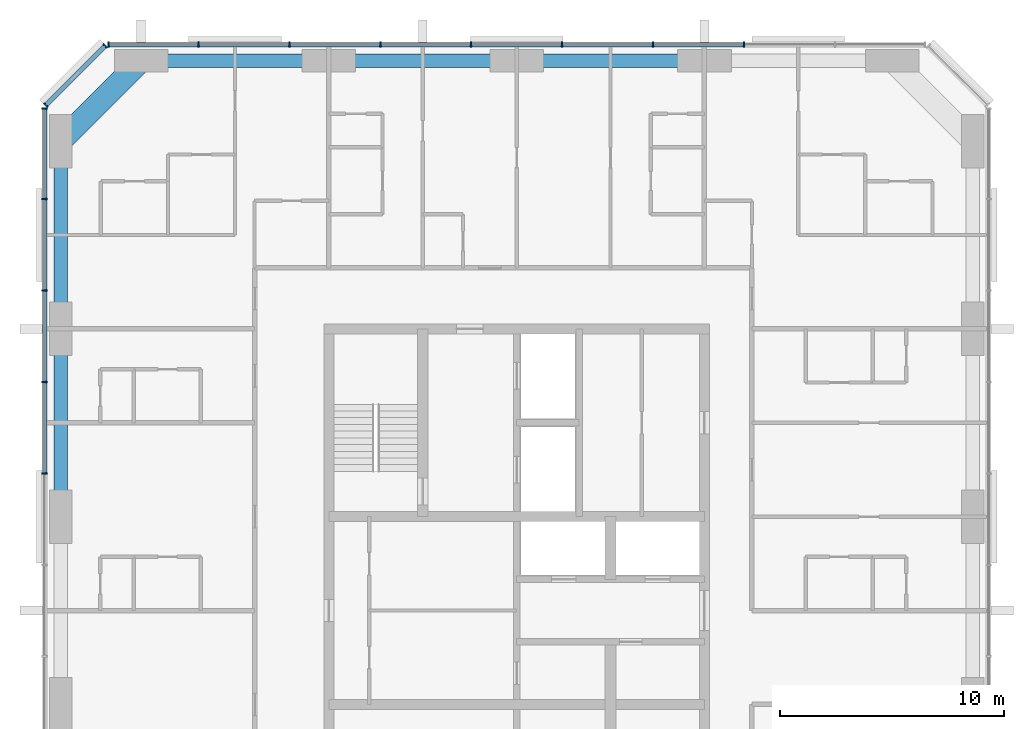
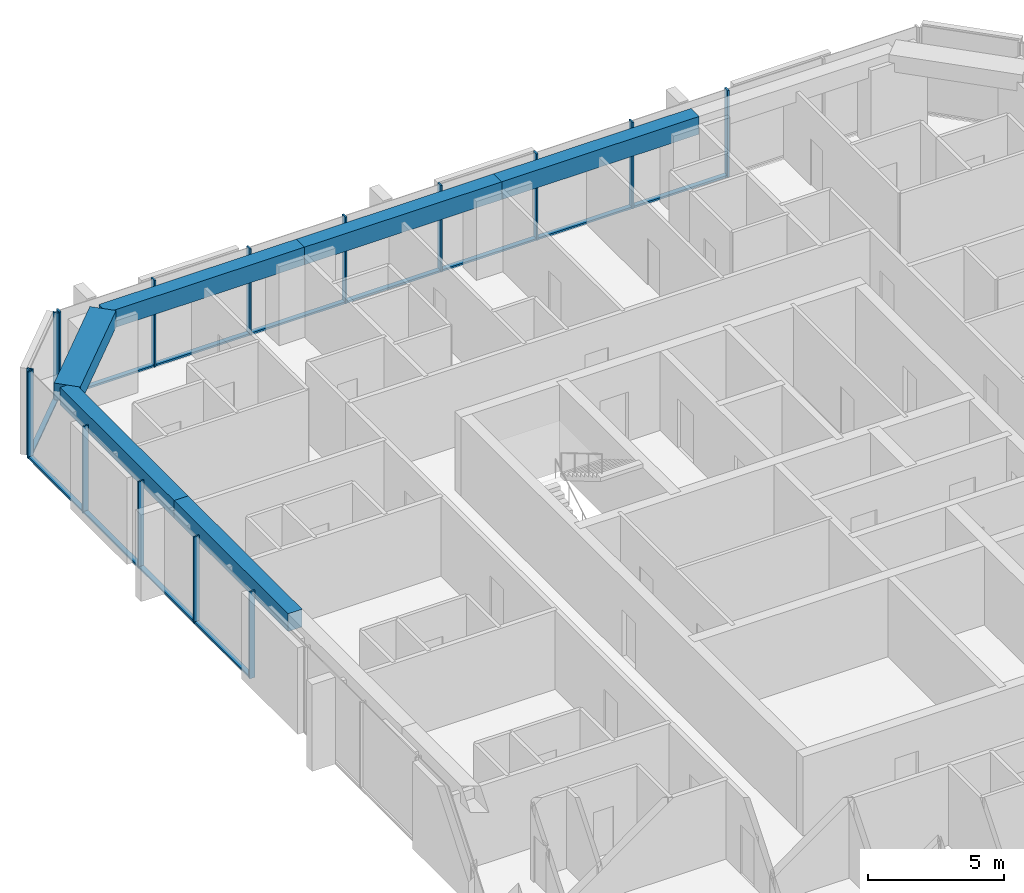
# One storey, part 4 of 13: 27 members, 6 beams, 3 elements without a shape of their own.
"""IFC4 building model written with IfcOpenShell, lengths in metres."""

import ifcopenshell
import ifcopenshell.guid

model = None  # the IFC model being written
_history = None  # IfcOwnerHistory: only IFC2X3 demands one
_inside = {}  # id of a spatial element -> (the spatial element, [elements in it])
_under = {}  # id of a project, library or spatial element -> (it, [spatial elements below it])
_declared = {}  # id of a project -> (the project, [libraries it declares])
_typed = {}  # id of a type object -> (the type object, [elements of that type])
_made_of = {}  # id of a material, layer set ... -> (it, [elements and type objects made of it])


def new_model(schema):
    """Start an empty IFC model of exactly this schema.

    Asked for "IFC4X3", IfcOpenShell would pick the latest addendum, in which some entities
    have other attributes; the version numbers below select the first issue.
    IFC2X3 requires an IfcOwnerHistory on every rooted entity: one is made here for all.
    """
    global model, _history
    if schema == "IFC4X3":
        model = ifcopenshell.file(schema_version=(4, 3, 0, 0))
    else:
        model = ifcopenshell.file(schema=schema)
    _inside.clear()
    _under.clear()
    _declared.clear()
    _typed.clear()
    _made_of.clear()
    _history = None
    if model.schema == "IFC2X3":
        org = make("IfcOrganization", Name="unknown")
        user = make(
            "IfcPersonAndOrganization",
            ThePerson=make("IfcPerson", FamilyName="unknown"),
            TheOrganization=org,
        )
        app = make(
            "IfcApplication",
            ApplicationDeveloper=org,
            Version="unknown",
            ApplicationFullName="unknown",
            ApplicationIdentifier="unknown",
        )
        _history = make(
            "IfcOwnerHistory",
            OwningUser=user,
            OwningApplication=app,
            ChangeAction="ADDED",
            CreationDate=0,
        )
    return model


def make(cls, **values):
    """One entity of the class cls with the attributes given. An attribute that is None is left unset."""
    return model.create_entity(
        cls, **{name: value for name, value in values.items() if value is not None}
    )


def rooted(cls, **values):
    """An entity with a GlobalId (a new one), such as an element, a storey or a relation."""
    return make(cls, GlobalId=ifcopenshell.guid.new(), OwnerHistory=_history, **values)


def si_unit(unit_type, name, prefix=None):
    """IfcSIUnit, for example si_unit("LENGTHUNIT", "METRE", prefix="MILLI")."""
    return make("IfcSIUnit", UnitType=unit_type, Prefix=prefix, Name=name)


def assignment(units):
    """IfcUnitAssignment: the units of a project."""
    return None if units is None else make("IfcUnitAssignment", Units=units)


def point(xyz):
    """IfcCartesianPoint."""
    return None if xyz is None else make("IfcCartesianPoint", Coordinates=xyz)


def direction(xyz):
    """IfcDirection."""
    return None if xyz is None else make("IfcDirection", DirectionRatios=xyz)


def frame(location, z_axis=None, x_axis=None):
    """IfcAxis2Placement3D, a coordinate frame: its origin and axes. An axis left out is left unset."""
    return make(
        "IfcAxis2Placement3D",
        Location=point(location),
        Axis=direction(z_axis),
        RefDirection=direction(x_axis),
    )


def frame_2d(location, x_axis=None):
    """IfcAxis2Placement2D, a coordinate frame in the plane: its origin and x axis."""
    return make(
        "IfcAxis2Placement2D", Location=point(location), RefDirection=direction(x_axis)
    )


def origin():
    """The frame at (0, 0, 0) with its axes left unset."""
    return frame((0.0, 0.0, 0.0))


def origin_2d():
    """The frame at (0, 0) in the plane with its x axis left unset."""
    return frame_2d((0.0, 0.0))


def place(relative_to, where):
    """IfcLocalPlacement: puts the frame where relative to a parent placement (None: the world)."""
    return make(
        "IfcLocalPlacement", PlacementRelTo=relative_to, RelativePlacement=where
    )


def context(
    kind, dimensions, precision=None, world=None, true_north=None, identifier=None
):
    """IfcGeometricRepresentationContext, for example the 3D "Model" context."""
    return make(
        "IfcGeometricRepresentationContext",
        ContextIdentifier=identifier,
        ContextType=kind,
        CoordinateSpaceDimension=dimensions,
        Precision=precision,
        WorldCoordinateSystem=world,
        TrueNorth=true_north,
    )


def subcontext(parent, identifier, kind, view, scale=None):
    """IfcGeometricRepresentationSubContext, for example "Body" below "Model"."""
    return make(
        "IfcGeometricRepresentationSubContext",
        ContextIdentifier=identifier,
        ContextType=kind,
        ParentContext=parent,
        TargetScale=scale,
        TargetView=view,
    )


def project(units=None, contexts=None):
    """IfcProject with its units and contexts."""
    return rooted(
        "IfcProject",
        Name="project",
        RepresentationContexts=contexts,
        UnitsInContext=assignment(units),
    )


def spatial(cls, under=None, at=None, **own):
    """A site, building, storey or space (cls), placed at a placement, below another one or the project."""
    s = rooted(cls, ObjectPlacement=at, **own)
    if under is not None:
        _under.setdefault(under.id(), (under, []))[1].append(s)
    return s


def profile(cls, at=None, kind="AREA", **sizes):
    """A parametric profile (cls). Its sizes go by their IFC names, for example OverallWidth=200.0."""
    return make(cls, ProfileType=kind, Position=at, **sizes)


def rectangle(**sizes):
    """IfcRectangleProfileDef."""
    return profile("IfcRectangleProfileDef", **sizes)


def extrude(swept, where, along, depth):
    """IfcExtrudedAreaSolid: the profile swept, set in the frame where, extruded along a direction by depth."""
    return make(
        "IfcExtrudedAreaSolid",
        SweptArea=swept,
        Position=where,
        ExtrudedDirection=direction(along),
        Depth=depth,
    )


def shape(context_of_items, identifier, shape_type, items):
    """IfcShapeRepresentation: the items that make up one representation, for example the "Body"."""
    return make(
        "IfcShapeRepresentation",
        ContextOfItems=context_of_items,
        RepresentationIdentifier=identifier,
        RepresentationType=shape_type,
        Items=items,
    )


def material(Name=None, Category=None):
    """IfcMaterial."""
    return make("IfcMaterial", Name=Name, Category=Category)


def material_profile(
    of_material, cross_section, Name=None, Category=None, Priority=None
):
    """IfcMaterialProfile: a cross section and its material."""
    return make(
        "IfcMaterialProfile",
        Name=Name,
        Material=of_material,
        Profile=cross_section,
        Priority=Priority,
        Category=Category,
    )


def profile_set(profiles, Name=None, composite=None):
    """IfcMaterialProfileSet."""
    return make(
        "IfcMaterialProfileSet",
        Name=Name,
        MaterialProfiles=profiles,
        CompositeProfile=composite,
    )


def made_of(thing, what):
    """Note that an element or type object is made of a material, layer set ...; save() writes the relation."""
    if what is not None:
        _made_of.setdefault(what.id(), (what, []))[1].append(thing)
    return thing


def type_object(cls, material=None, **own):
    """A type object (cls), such as IfcWallType, which elements share."""
    return made_of(rooted(cls, **own), material)


def element(
    cls,
    number,
    at=None,
    inside=None,
    cuts=None,
    type_object=None,
    material=None,
    context=None,
    identifier="Body",
    shape_type=None,
    held_by="IfcProductDefinitionShape",
    body=None,
    shapes=None,
    **own,
):
    """One element of the class cls, such as IfcWall. Its Tag is "e" and its number.

    at: its placement. inside: the storey or other place that contains it. cuts: it is an
    opening in that element (IfcRelVoidsElement). A single representation is given by context,
    identifier, shape_type and body (its items); several are given by shapes. held_by: the class
    of the entity that holds the representations. save() writes the other relations.
    """
    e = rooted(cls, Tag="e%d" % number, ObjectPlacement=at, **own)
    if body is not None:
        shapes = [shape(context, identifier, shape_type, body)]
    if shapes is not None:
        e.Representation = make(held_by, Representations=shapes)
    if inside is not None:
        _inside.setdefault(inside.id(), (inside, []))[1].append(e)
    if cuts is not None:
        rooted(
            "IfcRelVoidsElement", RelatingBuildingElement=cuts, RelatedOpeningElement=e
        )
    if type_object is not None:
        _typed.setdefault(type_object.id(), (type_object, []))[1].append(e)
    return made_of(e, material)


def aggregate(whole, parts):
    """IfcRelAggregates: a whole, such as a stair, and the parts it consists of."""
    return rooted("IfcRelAggregates", RelatingObject=whole, RelatedObjects=parts)


def save(model, path):
    """Write the relations noted so far, then the file.

    IfcRelAggregates (storeys below a building ...), IfcRelContainedInSpatialStructure (elements
    in a storey), IfcRelDefinesByType, IfcRelAssociatesMaterial and IfcRelDeclares: one each for
    every whole, place, type object, material and project.
    """
    for whole, parts in _under.values():
        aggregate(whole, parts)
    for where, things in _inside.values():
        rooted(
            "IfcRelContainedInSpatialStructure",
            RelatedElements=things,
            RelatingStructure=where,
        )
    for kind, things in _typed.values():
        rooted("IfcRelDefinesByType", RelatedObjects=things, RelatingType=kind)
    for what, things in _made_of.values():
        rooted("IfcRelAssociatesMaterial", RelatedObjects=things, RelatingMaterial=what)
    for by, libraries in _declared.values():
        rooted("IfcRelDeclares", RelatingContext=by, RelatedDefinitions=libraries)
    model.write(path)


model = new_model("IFC4")

# Units and contexts
model_context = context("Model", 3, precision=1e-05, world=origin(), true_north=direction((0.0, 1.0)))
body_context = subcontext(model_context, "Body", "Model", "MODEL_VIEW")
ifc_project = project(units=[si_unit("LENGTHUNIT", "METRE"), si_unit("AREAUNIT", "SQUARE_METRE"), si_unit("VOLUMEUNIT", "CUBIC_METRE"), si_unit("PLANEANGLEUNIT", "RADIAN"), si_unit("MASSUNIT", "GRAM", prefix="KILO")], contexts=[model_context])

# Site, building, storey
site_placement = place(None, origin())
site = spatial("IfcSite", under=ifc_project, at=site_placement, CompositionType="ELEMENT")
building_placement = place(site_placement, origin())
building = spatial("IfcBuilding", under=site, at=building_placement, Name="Dunama Terrace Hotel", CompositionType="ELEMENT")
storey_placement = place(building_placement, frame((0.0, 0.0, 280.199951171875)))
storey = spatial("IfcBuildingStorey", under=building, at=storey_placement, Name="L72", CompositionType="ELEMENT", Elevation=280.199951171875)

# Curtain wall, members
ifc_material_1 = material(Name="Aluminium curtain wall system", Category="aluminium")
curtain_wall_type = type_object("IfcCurtainWallType", Name="Unitised fritted glass wall CW-D", PredefinedType="NOTDEFINED", material=ifc_material_1)
curtain_wall_1_placement = place(storey_placement, origin())
curtain_wall_1 = element("IfcCurtainWall", 1, at=curtain_wall_1_placement, inside=storey, type_object=curtain_wall_type, Name="Unitised fritted glass wall CW-D L72", PredefinedType="NOTDEFINED")
ifc_material_2 = material(Name="Aluminium mullion", Category="aluminium")
ifc_material_profile_1 = material_profile(ifc_material_2, rectangle(XDim=0.070068359375, YDim=0.239990234375, at=origin_2d()), Name="CWD MULLION 70X240")
ifc_profile_set_1 = profile_set([ifc_material_profile_1], Name="Aluminium mullion")
member_type_1 = type_object("IfcMemberType", Name="CWD mullion 70x240", PredefinedType="MULLION", material=ifc_profile_set_1)
member_1_placement = place(storey_placement, frame((43.76708984375, 54.719970703125, 0.0), z_axis=(0.0, 0.0, 1.0), x_axis=(-1.0, 0.0, 0.0)))
member_1 = element("IfcMember", 2, at=member_1_placement, type_object=member_type_1, Name="CWD mullion", PredefinedType="MULLION", context=body_context, shape_type="SweptSolid", body=[
    extrude(rectangle(XDim=0.070068359375, YDim=0.239990234375, at=origin_2d()), origin(), (0.0, 0.0, 1.0), 3.900146484375),
])
member_2_placement = place(storey_placement, frame((39.699951171875, 54.719970703125, 0.0), z_axis=(0.0, 0.0, 1.0), x_axis=(-1.0, 0.0, 0.0)))
member_2 = element("IfcMember", 3, at=member_2_placement, type_object=member_type_1, Name="CWD mullion", PredefinedType="MULLION", context=body_context, shape_type="SweptSolid", body=[
    extrude(rectangle(XDim=0.070068359375, YDim=0.239990234375, at=origin_2d()), origin(), (0.0, 0.0, 1.0), 3.900146484375),
])
member_3_placement = place(storey_placement, frame((35.633056640625, 54.719970703125, 0.0), z_axis=(0.0, 0.0, 1.0), x_axis=(-1.0, 0.0, 0.0)))
member_3 = element("IfcMember", 4, at=member_3_placement, type_object=member_type_1, Name="CWD mullion", PredefinedType="MULLION", context=body_context, shape_type="SweptSolid", body=[
    extrude(rectangle(XDim=0.070068359375, YDim=0.239990234375, at=origin_2d()), origin(), (0.0, 0.0, 1.0), 3.900146484375),
])
member_4_placement = place(storey_placement, frame((31.56689453125, 54.719970703125, 0.0), z_axis=(0.0, 0.0, 1.0), x_axis=(-1.0, 0.0, 0.0)))
member_4 = element("IfcMember", 5, at=member_4_placement, type_object=member_type_1, Name="CWD mullion", PredefinedType="MULLION", context=body_context, shape_type="SweptSolid", body=[
    extrude(rectangle(XDim=0.070068359375, YDim=0.239990234375, at=origin_2d()), origin(), (0.0, 0.0, 1.0), 3.900146484375),
])
member_5_placement = place(storey_placement, frame((27.5, 54.719970703125, 0.0), z_axis=(0.0, 0.0, 1.0), x_axis=(-1.0, 0.0, 0.0)))
member_5 = element("IfcMember", 6, at=member_5_placement, type_object=member_type_1, Name="CWD mullion", PredefinedType="MULLION", context=body_context, shape_type="SweptSolid", body=[
    extrude(rectangle(XDim=0.070068359375, YDim=0.239990234375, at=origin_2d()), origin(), (0.0, 0.0, 1.0), 3.900146484375),
])
member_6_placement = place(storey_placement, frame((23.43310546875, 54.719970703125, 0.0), z_axis=(0.0, 0.0, 1.0), x_axis=(-1.0, 0.0, 0.0)))
member_6 = element("IfcMember", 7, at=member_6_placement, type_object=member_type_1, Name="CWD mullion", PredefinedType="MULLION", context=body_context, shape_type="SweptSolid", body=[
    extrude(rectangle(XDim=0.070068359375, YDim=0.239990234375, at=origin_2d()), origin(), (0.0, 0.0, 1.0), 3.900146484375),
])
member_7_placement = place(storey_placement, frame((19.366943359375, 54.719970703125, 0.0), z_axis=(0.0, 0.0, 1.0), x_axis=(-1.0, 0.0, 0.0)))
member_7 = element("IfcMember", 8, at=member_7_placement, type_object=member_type_1, Name="CWD mullion", PredefinedType="MULLION", context=body_context, shape_type="SweptSolid", body=[
    extrude(rectangle(XDim=0.070068359375, YDim=0.239990234375, at=origin_2d()), origin(), (0.0, 0.0, 1.0), 3.900146484375),
])
member_8_placement = place(storey_placement, frame((15.3349609375, 54.719970703125, 0.0), z_axis=(0.0, 0.0, 1.0), x_axis=(-1.0, 0.0, 0.0)))
member_8 = element("IfcMember", 9, at=member_8_placement, type_object=member_type_1, Name="CWD mullion", PredefinedType="MULLION", context=body_context, shape_type="SweptSolid", body=[
    extrude(rectangle(XDim=0.070068359375, YDim=0.239990234375, at=origin_2d()), origin(), (0.0, 0.0, 1.0), 3.900146484375),
])

curtain_wall_2_placement = place(storey_placement, origin())
curtain_wall_2 = element("IfcCurtainWall", 10, at=curtain_wall_2_placement, inside=storey, type_object=curtain_wall_type, Name="Unitised fritted glass wall CW-D L72", PredefinedType="NOTDEFINED")
member_9_placement = place(storey_placement, frame((15.18994140625, 54.659912109375, 0.0), z_axis=(0.0, 0.0, 1.0), x_axis=(-0.707106781187, -0.707106781187, 0.0)))
member_9 = element("IfcMember", 11, at=member_9_placement, type_object=member_type_1, Name="CWD mullion", PredefinedType="MULLION", context=body_context, shape_type="SweptSolid", body=[
    extrude(rectangle(XDim=0.070068359375, YDim=0.239990234375, at=origin_2d()), origin(), (0.0, 0.0, 1.0), 3.900146484375),
])
member_10_placement = place(storey_placement, frame((12.5400390625, 52.010009765625, 0.0), z_axis=(0.0, 0.0, 1.0), x_axis=(-0.707106781187, -0.707106781187, 0.0)))
member_10 = element("IfcMember", 12, at=member_10_placement, type_object=member_type_1, Name="CWD mullion", PredefinedType="MULLION", context=body_context, shape_type="SweptSolid", body=[
    extrude(rectangle(XDim=0.070068359375, YDim=0.239990234375, at=origin_2d()), origin(), (0.0, 0.0, 1.0), 3.900146484375),
])

curtain_wall_3_placement = place(storey_placement, origin())
curtain_wall_3 = element("IfcCurtainWall", 13, at=curtain_wall_3_placement, inside=storey, type_object=curtain_wall_type, Name="Unitised fritted glass wall CW-D L72", PredefinedType="NOTDEFINED")
member_11_placement = place(storey_placement, frame((12.47998046875, 51.864990234375, 0.0), z_axis=(0.0, 0.0, 1.0), x_axis=(0.0, -1.0, 0.0)))
member_11 = element("IfcMember", 14, at=member_11_placement, type_object=member_type_1, Name="CWD mullion", PredefinedType="MULLION", context=body_context, shape_type="SweptSolid", body=[
    extrude(rectangle(XDim=0.070068359375, YDim=0.239990234375, at=origin_2d()), origin(), (0.0, 0.0, 1.0), 3.900146484375),
])
member_12_placement = place(storey_placement, frame((12.47998046875, 47.80908203125, 0.0), z_axis=(0.0, 0.0, 1.0), x_axis=(0.0, -1.0, 0.0)))
member_12 = element("IfcMember", 15, at=member_12_placement, type_object=member_type_1, Name="CWD mullion", PredefinedType="MULLION", context=body_context, shape_type="SweptSolid", body=[
    extrude(rectangle(XDim=0.070068359375, YDim=0.239990234375, at=origin_2d()), origin(), (0.0, 0.0, 1.0), 3.900146484375),
])
member_13_placement = place(storey_placement, frame((12.47998046875, 43.718017578125, 0.0), z_axis=(0.0, 0.0, 1.0), x_axis=(0.0, -1.0, 0.0)))
member_13 = element("IfcMember", 16, at=member_13_placement, type_object=member_type_1, Name="CWD mullion", PredefinedType="MULLION", context=body_context, shape_type="SweptSolid", body=[
    extrude(rectangle(XDim=0.070068359375, YDim=0.239990234375, at=origin_2d()), origin(), (0.0, 0.0, 1.0), 3.900146484375),
])
member_14_placement = place(storey_placement, frame((12.47998046875, 39.626953125, 0.0), z_axis=(0.0, 0.0, 1.0), x_axis=(0.0, -1.0, 0.0)))
member_14 = element("IfcMember", 17, at=member_14_placement, type_object=member_type_1, Name="CWD mullion", PredefinedType="MULLION", context=body_context, shape_type="SweptSolid", body=[
    extrude(rectangle(XDim=0.070068359375, YDim=0.239990234375, at=origin_2d()), origin(), (0.0, 0.0, 1.0), 3.900146484375),
])
member_15_placement = place(storey_placement, frame((12.47998046875, 35.535888671875, 0.0), z_axis=(0.0, 0.0, 1.0), x_axis=(0.0, -1.0, 0.0)))
member_15 = element("IfcMember", 18, at=member_15_placement, type_object=member_type_1, Name="CWD mullion", PredefinedType="MULLION", context=body_context, shape_type="SweptSolid", body=[
    extrude(rectangle(XDim=0.070068359375, YDim=0.239990234375, at=origin_2d()), origin(), (0.0, 0.0, 1.0), 3.900146484375),
])

# Member
ifc_material_3 = material(Name="Aluminium transom", Category="aluminium")
ifc_material_profile_2 = material_profile(ifc_material_3, rectangle(XDim=0.199951171875, YDim=0.0849609375, at=origin_2d()), Name="CWD TRANSOM 200X85")
ifc_profile_set_2 = profile_set([ifc_material_profile_2], Name="Aluminium transom")
member_type_2 = type_object("IfcMemberType", Name="CWD transom 200x85", PredefinedType="USERDEFINED", material=ifc_profile_set_2)
member_16_placement = place(storey_placement, frame((43.73193359375, 54.719970703125, 0.04248046875), z_axis=(-1.0, 0.0, 0.0), x_axis=(0.0, -1.0, 0.0)))
member_16 = element("IfcMember", 19, at=member_16_placement, type_object=member_type_2, Name="CWD transom", ObjectType="TRANSOM", PredefinedType="USERDEFINED", context=body_context, shape_type="SweptSolid", body=[
    extrude(rectangle(XDim=0.199951171875, YDim=0.0849609375, at=origin_2d()), origin(), (0.0, 0.0, 1.0), 3.996826171875),
])

member_17_placement = place(storey_placement, frame((39.6650390625, 54.719970703125, 0.04248046875), z_axis=(-1.0, 0.0, 0.0), x_axis=(0.0, -1.0, 0.0)))
member_17 = element("IfcMember", 20, at=member_17_placement, type_object=member_type_2, Name="CWD transom", ObjectType="TRANSOM", PredefinedType="USERDEFINED", context=body_context, shape_type="SweptSolid", body=[
    extrude(rectangle(XDim=0.199951171875, YDim=0.0849609375, at=origin_2d()), origin(), (0.0, 0.0, 1.0), 3.9970703125),
])

member_18_placement = place(storey_placement, frame((35.597900390625, 54.719970703125, 0.04248046875), z_axis=(-1.0, 0.0, 0.0), x_axis=(0.0, -1.0, 0.0)))
member_18 = element("IfcMember", 21, at=member_18_placement, type_object=member_type_2, Name="CWD transom", ObjectType="TRANSOM", PredefinedType="USERDEFINED", context=body_context, shape_type="SweptSolid", body=[
    extrude(rectangle(XDim=0.199951171875, YDim=0.0849609375, at=origin_2d()), origin(), (0.0, 0.0, 1.0), 3.995849609375),
])

member_19_placement = place(storey_placement, frame((31.531982421875, 54.719970703125, 0.04248046875), z_axis=(-1.0, 0.0, 0.0), x_axis=(0.0, -1.0, 0.0)))
member_19 = element("IfcMember", 22, at=member_19_placement, type_object=member_type_2, Name="CWD transom", ObjectType="TRANSOM", PredefinedType="USERDEFINED", context=body_context, shape_type="SweptSolid", body=[
    extrude(rectangle(XDim=0.199951171875, YDim=0.0849609375, at=origin_2d()), origin(), (0.0, 0.0, 1.0), 3.9970703125),
])

member_20_placement = place(storey_placement, frame((27.465087890625, 54.719970703125, 0.04248046875), z_axis=(-1.0, 0.0, 0.0), x_axis=(0.0, -1.0, 0.0)))
member_20 = element("IfcMember", 23, at=member_20_placement, type_object=member_type_2, Name="CWD transom", ObjectType="TRANSOM", PredefinedType="USERDEFINED", context=body_context, shape_type="SweptSolid", body=[
    extrude(rectangle(XDim=0.199951171875, YDim=0.0849609375, at=origin_2d()), origin(), (0.0, 0.0, 1.0), 3.9970703125),
])

member_21_placement = place(storey_placement, frame((23.39794921875, 54.719970703125, 0.04248046875), z_axis=(-1.0, 0.0, 0.0), x_axis=(0.0, -1.0, 0.0)))
member_21 = element("IfcMember", 24, at=member_21_placement, type_object=member_type_2, Name="CWD transom", ObjectType="TRANSOM", PredefinedType="USERDEFINED", context=body_context, shape_type="SweptSolid", body=[
    extrude(rectangle(XDim=0.199951171875, YDim=0.0849609375, at=origin_2d()), origin(), (0.0, 0.0, 1.0), 3.995849609375),
])

member_22_placement = place(storey_placement, frame((19.33203125, 54.719970703125, 0.04248046875), z_axis=(-1.0, 0.0, 0.0), x_axis=(0.0, -1.0, 0.0)))
member_22 = element("IfcMember", 25, at=member_22_placement, type_object=member_type_2, Name="CWD transom", ObjectType="TRANSOM", PredefinedType="USERDEFINED", context=body_context, shape_type="SweptSolid", body=[
    extrude(rectangle(XDim=0.199951171875, YDim=0.0849609375, at=origin_2d()), origin(), (0.0, 0.0, 1.0), 3.9619140625),
])

aggregate(curtain_wall_1, [member_1, member_2, member_3, member_4, member_5, member_6, member_7, member_8, member_16, member_17, member_18, member_19, member_20, member_21, member_22])

member_23_placement = place(storey_placement, frame((15.166015625, 54.635009765625, 0.04248046875), z_axis=(-0.707106781187, -0.707106781187, 0.0), x_axis=(0.707106781187, -0.707106781187, 0.0)))
member_23 = element("IfcMember", 26, at=member_23_placement, type_object=member_type_2, Name="CWD transom", ObjectType="TRANSOM", PredefinedType="USERDEFINED", context=body_context, shape_type="SweptSolid", body=[
    extrude(rectangle(XDim=0.199951171875, YDim=0.0849609375, at=origin_2d()), origin(), (0.0, 0.0, 1.0), 3.678466796875),
])

aggregate(curtain_wall_2, [member_9, member_10, member_23])

member_24_placement = place(storey_placement, frame((12.47998046875, 51.830078125, 0.04248046875), z_axis=(0.0, -1.0, 0.0), x_axis=(1.0, 0.0, 0.0)))
member_24 = element("IfcMember", 27, at=member_24_placement, type_object=member_type_2, Name="CWD transom", ObjectType="TRANSOM", PredefinedType="USERDEFINED", context=body_context, shape_type="SweptSolid", body=[
    extrude(rectangle(XDim=0.199951171875, YDim=0.0849609375, at=origin_2d()), origin(), (0.0, 0.0, 1.0), 3.986083984375),
])

member_25_placement = place(storey_placement, frame((12.47998046875, 47.77392578125, 0.04248046875), z_axis=(0.0, -1.0, 0.0), x_axis=(1.0, 0.0, 0.0)))
member_25 = element("IfcMember", 28, at=member_25_placement, type_object=member_type_2, Name="CWD transom", ObjectType="TRANSOM", PredefinedType="USERDEFINED", context=body_context, shape_type="SweptSolid", body=[
    extrude(rectangle(XDim=0.199951171875, YDim=0.0849609375, at=origin_2d()), origin(), (0.0, 0.0, 1.0), 4.02099609375),
])

member_26_placement = place(storey_placement, frame((12.47998046875, 43.68310546875, 0.04248046875), z_axis=(0.0, -1.0, 0.0), x_axis=(1.0, 0.0, 0.0)))
member_26 = element("IfcMember", 29, at=member_26_placement, type_object=member_type_2, Name="CWD transom", ObjectType="TRANSOM", PredefinedType="USERDEFINED", context=body_context, shape_type="SweptSolid", body=[
    extrude(rectangle(XDim=0.199951171875, YDim=0.0849609375, at=origin_2d()), origin(), (0.0, 0.0, 1.0), 4.02099609375),
])

member_27_placement = place(storey_placement, frame((12.47998046875, 39.592041015625, 0.04248046875), z_axis=(0.0, -1.0, 0.0), x_axis=(1.0, 0.0, 0.0)))
member_27 = element("IfcMember", 30, at=member_27_placement, type_object=member_type_2, Name="CWD transom", ObjectType="TRANSOM", PredefinedType="USERDEFINED", context=body_context, shape_type="SweptSolid", body=[
    extrude(rectangle(XDim=0.199951171875, YDim=0.0849609375, at=origin_2d()), origin(), (0.0, 0.0, 1.0), 4.02099609375),
])

aggregate(curtain_wall_3, [member_11, member_12, member_13, member_14, member_15, member_24, member_25, member_26, member_27])

# Beams
ifc_material_4 = material(Name="Concrete C50/60", Category="concrete")
ifc_material_profile_3 = material_profile(ifc_material_4, rectangle(XDim=1.0, YDim=0.75, at=origin_2d()), Name="RC 1000x750")
ifc_profile_set_3 = profile_set([ifc_material_profile_3], Name="Concrete C50/60")
beam_type_1 = type_object("IfcBeamType", Name="Edge beam RC 1000x750", PredefinedType="SPANDREL", material=ifc_profile_set_3)
beam_1_placement = place(storey_placement, frame((16.800048828125, 54.0, 3.525146484375), z_axis=(-0.707106781187, -0.707106781187, 0.0), x_axis=(0.707106781187, -0.707106781187, 0.0)))
element("IfcBeam", 31, at=beam_1_placement, inside=storey, type_object=beam_type_1, Name="Corner edge beam under L73", PredefinedType="SPANDREL", context=body_context, shape_type="SweptSolid", body=[
    extrude(rectangle(XDim=1.0, YDim=0.75, at=origin_2d()), origin(), (0.0, 0.0, 1.0), 5.09130859375),
])
ifc_material_5 = material(Name="Concrete C40/50", Category="concrete")
ifc_material_profile_4 = material_profile(ifc_material_5, rectangle(XDim=0.60009765625, YDim=0.800048828125, at=origin_2d()), Name="RC 600x800")
ifc_profile_set_4 = profile_set([ifc_material_profile_4], Name="Concrete C40/50")
beam_type_2 = type_object("IfcBeamType", Name="Edge beam RC 600x800", PredefinedType="SPANDREL", material=ifc_profile_set_4)
for number, where, z_axis, x_axis, name in (
    (32, (13.199951171875, 33.60009765625, 3.5), (0.0, 1.0, 0.0), (-1.0, 0.0, 0.0), "Edge beam under L73"),
    (33, (13.199951171875, 42.0, 3.5), (0.0, 1.0, 0.0), (-1.0, 0.0, 0.0), "Edge beam under L73"),
    (34, (16.800048828125, 54.0, 3.5), (1.0, 0.0, 0.0), (0.0, 1.0, 0.0), "Edge beam under L73"),
):
    element("IfcBeam", number, at=place(storey_placement, frame(where, z_axis=z_axis, x_axis=x_axis)), inside=storey, type_object=beam_type_2, Name=name, PredefinedType="SPANDREL", context=body_context, shape_type="SweptSolid", body=[
        extrude(rectangle(XDim=0.60009765625, YDim=0.800048828125, at=origin_2d()), origin(), (0.0, 0.0, 1.0), 8.39990234375),
    ])
beam_2_placement = place(storey_placement, frame((25.199951171875, 54.0, 3.5), z_axis=(1.0, 0.0, 0.0), x_axis=(0.0, 1.0, 0.0)))
element("IfcBeam", 35, at=beam_2_placement, inside=storey, type_object=beam_type_2, Name="Edge beam under L73", PredefinedType="SPANDREL", context=body_context, shape_type="SweptSolid", body=[
    extrude(rectangle(XDim=0.60009765625, YDim=0.800048828125, at=origin_2d()), origin(), (0.0, 0.0, 1.0), 8.400146484375),
])
beam_3_placement = place(storey_placement, frame((33.60009765625, 54.0, 3.5), z_axis=(1.0, 0.0, 0.0), x_axis=(0.0, 1.0, 0.0)))
element("IfcBeam", 36, at=beam_3_placement, inside=storey, type_object=beam_type_2, Name="Edge beam under L73", PredefinedType="SPANDREL", context=body_context, shape_type="SweptSolid", body=[
    extrude(rectangle(XDim=0.60009765625, YDim=0.800048828125, at=origin_2d()), origin(), (0.0, 0.0, 1.0), 8.39990234375),
])

save(model, "model.ifc")
